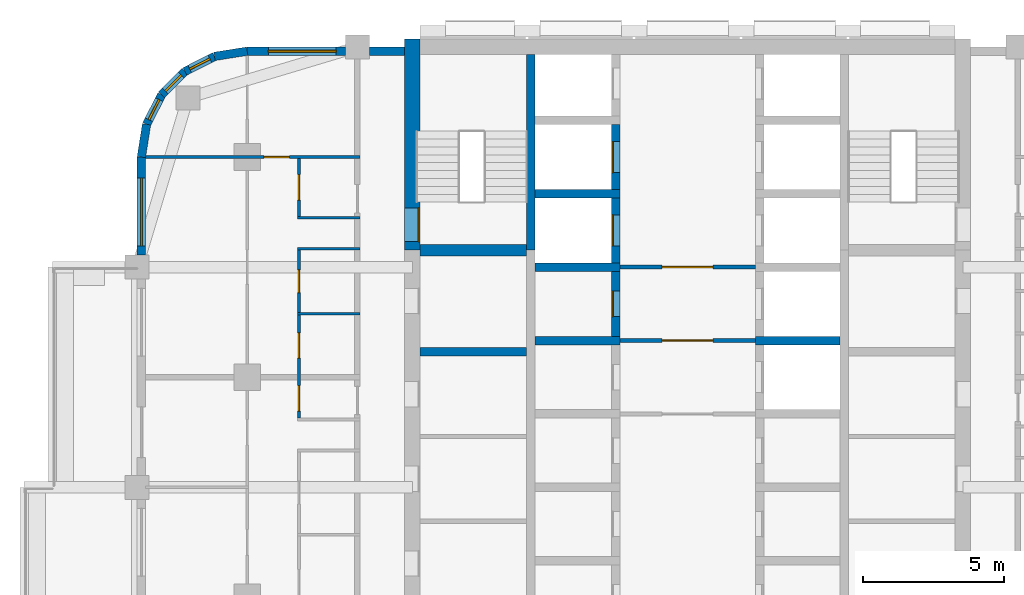
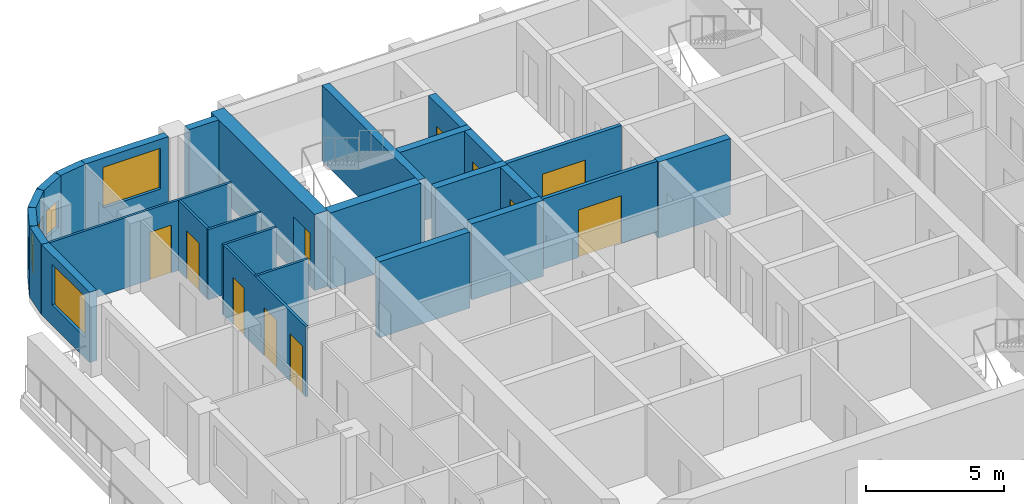
# One storey, part 8 of 14: 27 walls, 11 doors, 5 windows, 16 openings.
"""IFC4 building model written with IfcOpenShell, lengths in metres."""

from ifc_helpers import new_model, si_unit, direction, frame, frame_2d, origin, place, context, subcontext, project, spatial, rectangle, extrude, material, layer, layer_set, type_object, element, fill, save


model = new_model("IFC4")

# Units and contexts
model_context = context("Model", 3, precision=1e-05, world=origin(), true_north=direction((0.0, 1.0)))
body_context = subcontext(model_context, "Body", "Model", "MODEL_VIEW")
ifc_project = project(units=[si_unit("LENGTHUNIT", "METRE"), si_unit("AREAUNIT", "SQUARE_METRE"), si_unit("VOLUMEUNIT", "CUBIC_METRE"), si_unit("PLANEANGLEUNIT", "RADIAN"), si_unit("MASSUNIT", "GRAM", prefix="KILO")], contexts=[model_context])

# Site, building, storey
site_placement = place(None, origin())
site = spatial("IfcSite", under=ifc_project, at=site_placement, CompositionType="ELEMENT")
building_placement = place(site_placement, origin())
building = spatial("IfcBuilding", under=site, at=building_placement, Name="Ludao Terraces", CompositionType="ELEMENT")
storey_placement = place(building_placement, frame((0.0, 0.0, 140.699951171875)))
storey = spatial("IfcBuildingStorey", under=building, at=storey_placement, Name="L38", CompositionType="ELEMENT", Elevation=140.699951171875)

# Wall, opening, door
ifc_material_1 = material(Name="Concrete C60", Category="concrete")
ifc_layer_1 = layer(ifc_material_1, 0.550048828125)
ifc_layer_set_1 = layer_set([ifc_layer_1], Name="Core wall 550 C60")
wall_type_1 = type_object("IfcWallType", Name="Core wall 550 C60", PredefinedType="SOLIDWALL", material=ifc_layer_set_1)
wall_1_placement = place(storey_placement, frame((75.25, 77.300048828125, -0.25), z_axis=(0.0, 0.0, 1.0), x_axis=(0.0, 1.0, 0.0)))
wall_1 = element("IfcWall", 1, at=wall_1_placement, inside=storey, type_object=wall_type_1, Name="Core wall L38 outer-W-S1", PredefinedType="SOLIDWALL", context=body_context, shape_type="SweptSolid", body=[
    extrude(rectangle(XDim=7.474853515625, YDim=0.550048828125, at=frame_2d((3.7373046875, 0.0))), origin(), (0.0, 0.0, 1.0), 3.35009765625),
])
opening_1_placement = place(wall_1_placement, frame((0.300048828125, 0.0, 0.25)))
opening_1 = element("IfcOpeningElement", 2, at=opening_1_placement, cuts=wall_1, Name="Opening R13-081", PredefinedType="OPENING", context=body_context, shape_type="SweptSolid", body=[
    extrude(rectangle(XDim=1.199951171875, YDim=2.10009765625, at=frame_2d((0.60009765625, 1.050048828125))), frame((0.0, 0.28515625, 0.0), z_axis=(0.0, -1.0, 0.0), x_axis=(1.0, 0.0, 0.0)), (0.0, 0.0, 1.0), 0.570068359375),
])
ifc_material_2 = material(Name="Steel Q235", Category="steel")
door_type_1 = type_object("IfcDoorType", Name="INT Stair door 1200", OperationType="DOUBLE_DOOR_SINGLE_SWING", PredefinedType="DOOR", material=ifc_material_2)
door_1_placement = place(opening_1_placement, origin())
door_1 = element("IfcDoor", 3, at=door_1_placement, inside=storey, type_object=door_type_1, Name="DOOR 081", OperationType="DOUBLE_DOOR_SINGLE_SWING", OverallHeight=2.10009765625, OverallWidth=1.199951171875, PredefinedType="DOOR", context=body_context, shape_type="SweptSolid", body=[
    extrude(rectangle(XDim=1.199951171875, YDim=2.10009765625, at=frame_2d((0.60009765625, 1.050048828125))), frame((0.0, -0.2099609375, 0.0), z_axis=(0.0, -1.0, 0.0), x_axis=(1.0, 0.0, 0.0)), (0.0, 0.0, 1.0), 0.050048828125),
])
fill(opening_1, door_1)

# Wall, opening, window
ifc_material_3 = material(Name="Granite cladding", Category="masonry")
ifc_layer_2 = layer(ifc_material_3, 0.0400390625, Category="stone")
ifc_material_4 = material(Name="Mineral wool")
ifc_layer_3 = layer(ifc_material_4, 0.06005859375)
ifc_material_5 = material(Name="Concrete C40", Category="concrete")
ifc_layer_4 = layer(ifc_material_5, 0.199951171875, Category="concrete")
ifc_layer_set_2 = layer_set([ifc_layer_2, ifc_layer_3, ifc_layer_4], Name="ENV Stone-clad wall 300")
wall_type_2 = type_object("IfcWallType", Name="ENV Stone-clad wall 300", PredefinedType="SOLIDWALL", material=ifc_layer_set_2)
wall_2_placement = place(storey_placement, frame((69.39990234375, 84.35009765625, 0.0), z_axis=(0.0, 0.0, 1.0), x_axis=(1.0, 0.0, 0.0)))
wall_2 = element("IfcWall", 4, at=wall_2_placement, inside=storey, type_object=wall_type_2, Name="EW-L38-N1", PredefinedType="SOLIDWALL", context=body_context, shape_type="SweptSolid", body=[
    extrude(rectangle(XDim=3.47509765625, YDim=0.300048828125, at=frame_2d((1.737548828125, 0.0))), origin(), (0.0, 0.0, 1.0), 3.10009765625),
])
opening_2_placement = place(wall_2_placement, frame((0.75, 0.0, 0.89990234375)))
opening_2 = element("IfcOpeningElement", 5, at=opening_2_placement, cuts=wall_2, Name="Opening W1", PredefinedType="OPENING", context=body_context, shape_type="SweptSolid", body=[
    extrude(rectangle(XDim=2.39990234375, YDim=1.800048828125, at=frame_2d((1.199951171875, 0.89990234375))), frame((0.0, 0.16015625, 0.0), z_axis=(0.0, -1.0, 0.0), x_axis=(1.0, 0.0, 0.0)), (0.0, 0.0, 1.0), 0.320068359375),
])
ifc_material_6 = material(Name="Clear glass in aluminium frame", Category="aluminium")
ifc_layer_5 = layer(ifc_material_6, 0.06005859375)
ifc_layer_set_3 = layer_set([ifc_layer_5], Name="ENV Window W1 2400x1800")
window_type_1 = type_object("IfcWindowType", Name="ENV Window W1 2400x1800", PartitioningType="DOUBLE_PANEL_VERTICAL", PredefinedType="WINDOW", material=ifc_layer_set_3)
window_1_placement = place(opening_2_placement, origin())
window_1 = element("IfcWindow", 6, at=window_1_placement, inside=storey, type_object=window_type_1, Name="W-L38-N1-1", OverallHeight=1.800048828125, OverallWidth=2.39990234375, PartitioningType="DOUBLE_PANEL_VERTICAL", PredefinedType="WINDOW", context=body_context, shape_type="SweptSolid", body=[
    extrude(rectangle(XDim=2.39990234375, YDim=1.800048828125, at=frame_2d((1.199951171875, 0.89990234375))), frame((0.0, 0.030029296875, 0.0), z_axis=(0.0, -1.0, 0.0), x_axis=(1.0, 0.0, 0.0)), (0.0, 0.0, 1.0), 0.06005859375),
])
fill(opening_2, window_1)

# Wall
wall_3_placement = place(storey_placement, frame((73.72509765625, 84.35009765625, 0.0), z_axis=(0.0, 0.0, 1.0), x_axis=(1.0, 0.0, 0.0)))
element("IfcWall", 7, at=wall_3_placement, inside=storey, type_object=wall_type_2, Name="EW-L38-N2", PredefinedType="SOLIDWALL", context=body_context, shape_type="SweptSolid", body=[
    extrude(rectangle(XDim=1.25, YDim=0.300048828125, at=frame_2d((0.625, 0.0))), origin(), (0.0, 0.0, 1.0), 3.10009765625),
])

# Wall, opening, window
wall_4_placement = place(storey_placement, frame((65.64990234375, 77.125, 0.0), z_axis=(0.0, 0.0, 1.0), x_axis=(0.0, 1.0, 0.0)))
wall_4 = element("IfcWall", 8, at=wall_4_placement, inside=storey, type_object=wall_type_2, Name="EW-L38-W5", PredefinedType="SOLIDWALL", context=body_context, shape_type="SweptSolid", body=[
    extrude(rectangle(XDim=3.47509765625, YDim=0.300048828125, at=frame_2d((1.737548828125, 0.0))), origin(), (0.0, 0.0, 1.0), 3.10009765625),
])
opening_3_placement = place(wall_4_placement, frame((0.324951171875, 0.0, 0.89990234375)))
opening_3 = element("IfcOpeningElement", 9, at=opening_3_placement, cuts=wall_4, Name="Opening W1", PredefinedType="OPENING", context=body_context, shape_type="SweptSolid", body=[
    extrude(rectangle(XDim=2.39990234375, YDim=1.800048828125, at=frame_2d((1.199951171875, 0.89990234375))), frame((0.0, 0.16015625, 0.0), z_axis=(0.0, -1.0, 0.0), x_axis=(1.0, 0.0, 0.0)), (0.0, 0.0, 1.0), 0.320068359375),
])
window_2_placement = place(opening_3_placement, origin())
window_2 = element("IfcWindow", 10, at=window_2_placement, inside=storey, type_object=window_type_1, Name="W-L38-W5-1", OverallHeight=1.800048828125, OverallWidth=2.39990234375, PartitioningType="DOUBLE_PANEL_VERTICAL", PredefinedType="WINDOW", context=body_context, shape_type="SweptSolid", body=[
    extrude(rectangle(XDim=2.39990234375, YDim=1.800048828125, at=frame_2d((1.199951171875, 0.89990234375))), frame((0.0, 0.030029296875, 0.0), z_axis=(0.0, -1.0, 0.0), x_axis=(1.0, 0.0, 0.0)), (0.0, 0.0, 1.0), 0.06005859375),
])
fill(opening_3, window_2)

# Wall
wall_5_placement = place(storey_placement, frame((69.39990234375, 84.35009765625, 0.0), z_axis=(0.0, 0.0, 1.0), x_axis=(-0.987678452879, -0.156496880861, 0.0)))
element("IfcWall", 11, at=wall_5_placement, inside=storey, type_object=wall_type_2, Name="EW-L38-NW1", PredefinedType="SOLIDWALL", context=body_context, shape_type="SweptSolid", body=[
    extrude(rectangle(XDim=1.173095703125, YDim=0.300048828125, at=frame_2d((0.58642578125, 0.0))), origin(), (0.0, 0.0, 1.0), 3.10009765625),
])

# Wall, opening, window
wall_6_placement = place(storey_placement, frame((68.2412109375, 84.16650390625, 0.0), z_axis=(0.0, 0.0, 1.0), x_axis=(-0.890988677504, -0.454025524128, 0.0)))
wall_6 = element("IfcWall", 12, at=wall_6_placement, inside=storey, type_object=wall_type_2, Name="EW-L38-NW2", PredefinedType="SOLIDWALL", context=body_context, shape_type="SweptSolid", body=[
    extrude(rectangle(XDim=1.17333984375, YDim=0.300048828125, at=frame_2d((0.586669921875, 0.0))), origin(), (0.0, 0.0, 1.0), 3.10009765625),
])
opening_4_placement = place(wall_6_placement, frame((0.1865234375, 0.0, 0.89990234375)))
opening_4 = element("IfcOpeningElement", 13, at=opening_4_placement, cuts=wall_6, Name="Opening W3", PredefinedType="OPENING", context=body_context, shape_type="SweptSolid", body=[
    extrude(rectangle(XDim=0.800048828125, YDim=1.199951171875, at=frame_2d((0.39990234375, 0.60009765625))), frame((0.0, 0.16015625, 0.0), z_axis=(0.0, -1.0, 0.0), x_axis=(1.0, 0.0, 0.0)), (0.0, 0.0, 1.0), 0.320068359375),
])
ifc_layer_6 = layer(ifc_material_6, 0.06005859375)
ifc_layer_set_4 = layer_set([ifc_layer_6], Name="ENV Window W3 800x1200")
window_type_2 = type_object("IfcWindowType", Name="ENV Window W3 800x1200", PartitioningType="SINGLE_PANEL", PredefinedType="WINDOW", material=ifc_layer_set_4)
window_3_placement = place(opening_4_placement, origin())
window_3 = element("IfcWindow", 14, at=window_3_placement, inside=storey, type_object=window_type_2, Name="W-L38-NW2", OverallHeight=1.199951171875, OverallWidth=0.800048828125, PartitioningType="SINGLE_PANEL", PredefinedType="WINDOW", context=body_context, shape_type="SweptSolid", body=[
    extrude(rectangle(XDim=0.800048828125, YDim=1.199951171875, at=frame_2d((0.39990234375, 0.60009765625))), frame((0.0, 0.030029296875, 0.0), z_axis=(0.0, -1.0, 0.0), x_axis=(1.0, 0.0, 0.0)), (0.0, 0.0, 1.0), 0.06005859375),
])
fill(opening_4, window_3)

wall_7_placement = place(storey_placement, frame((67.19580078125, 83.6337890625, 0.0), z_axis=(0.0, 0.0, 1.0), x_axis=(-0.707106781187, -0.707106781187, 0.0)))
wall_7 = element("IfcWall", 15, at=wall_7_placement, inside=storey, type_object=wall_type_2, Name="EW-L38-NW3", PredefinedType="SOLIDWALL", context=body_context, shape_type="SweptSolid", body=[
    extrude(rectangle(XDim=1.173095703125, YDim=0.300048828125, at=frame_2d((0.58642578125, 0.0))), origin(), (0.0, 0.0, 1.0), 3.10009765625),
])
opening_5_placement = place(wall_7_placement, frame((0.1865234375, 0.0, 0.89990234375)))
opening_5 = element("IfcOpeningElement", 16, at=opening_5_placement, cuts=wall_7, Name="Opening W3", PredefinedType="OPENING", context=body_context, shape_type="SweptSolid", body=[
    extrude(rectangle(XDim=0.800048828125, YDim=1.199951171875, at=frame_2d((0.39990234375, 0.60009765625))), frame((0.0, 0.16015625, 0.0), z_axis=(0.0, -1.0, 0.0), x_axis=(1.0, 0.0, 0.0)), (0.0, 0.0, 1.0), 0.320068359375),
])
window_4_placement = place(opening_5_placement, origin())
window_4 = element("IfcWindow", 17, at=window_4_placement, inside=storey, type_object=window_type_2, Name="W-L38-NW3", OverallHeight=1.199951171875, OverallWidth=0.800048828125, PartitioningType="SINGLE_PANEL", PredefinedType="WINDOW", context=body_context, shape_type="SweptSolid", body=[
    extrude(rectangle(XDim=0.800048828125, YDim=1.199951171875, at=frame_2d((0.39990234375, 0.60009765625))), frame((0.0, 0.030029296875, 0.0), z_axis=(0.0, -1.0, 0.0), x_axis=(1.0, 0.0, 0.0)), (0.0, 0.0, 1.0), 0.06005859375),
])
fill(opening_5, window_4)

wall_8_placement = place(storey_placement, frame((66.3662109375, 82.80419921875, 0.0), z_axis=(0.0, 0.0, 1.0), x_axis=(-0.454025524128, -0.890988677504, 0.0)))
wall_8 = element("IfcWall", 18, at=wall_8_placement, inside=storey, type_object=wall_type_2, Name="EW-L38-NW4", PredefinedType="SOLIDWALL", context=body_context, shape_type="SweptSolid", body=[
    extrude(rectangle(XDim=1.17333984375, YDim=0.300048828125, at=frame_2d((0.586669921875, 0.0))), origin(), (0.0, 0.0, 1.0), 3.10009765625),
])
opening_6_placement = place(wall_8_placement, frame((0.1865234375, 0.0, 0.89990234375)))
opening_6 = element("IfcOpeningElement", 19, at=opening_6_placement, cuts=wall_8, Name="Opening W3", PredefinedType="OPENING", context=body_context, shape_type="SweptSolid", body=[
    extrude(rectangle(XDim=0.800048828125, YDim=1.199951171875, at=frame_2d((0.39990234375, 0.60009765625))), frame((0.0, 0.16015625, 0.0), z_axis=(0.0, -1.0, 0.0), x_axis=(1.0, 0.0, 0.0)), (0.0, 0.0, 1.0), 0.320068359375),
])
window_5_placement = place(opening_6_placement, origin())
window_5 = element("IfcWindow", 20, at=window_5_placement, inside=storey, type_object=window_type_2, Name="W-L38-NW4", OverallHeight=1.199951171875, OverallWidth=0.800048828125, PartitioningType="SINGLE_PANEL", PredefinedType="WINDOW", context=body_context, shape_type="SweptSolid", body=[
    extrude(rectangle(XDim=0.800048828125, YDim=1.199951171875, at=frame_2d((0.39990234375, 0.60009765625))), frame((0.0, 0.030029296875, 0.0), z_axis=(0.0, -1.0, 0.0), x_axis=(1.0, 0.0, 0.0)), (0.0, 0.0, 1.0), 0.06005859375),
])
fill(opening_6, window_5)

# Wall
wall_9_placement = place(storey_placement, frame((65.83349609375, 81.7587890625, 0.0), z_axis=(0.0, 0.0, 1.0), x_axis=(-0.156496880861, -0.987678452879, 0.0)))
element("IfcWall", 21, at=wall_9_placement, inside=storey, type_object=wall_type_2, Name="EW-L38-NW5", PredefinedType="SOLIDWALL", context=body_context, shape_type="SweptSolid", body=[
    extrude(rectangle(XDim=1.173095703125, YDim=0.300048828125, at=frame_2d((0.58642578125, 0.0))), origin(), (0.0, 0.0, 1.0), 3.10009765625),
])

# Wall, opening, door
ifc_material_7 = material(Name="Fire-rated gypsum plasterboard", Category="gypsum")
ifc_layer_7 = layer(ifc_material_7, 0.012451171875, Category="gypsum")
ifc_layer_8 = layer(ifc_material_4, 0.10009765625, Name="insulation")
ifc_layer_9 = layer(ifc_material_2, 0.02490234375, Name="stud")
ifc_layer_10 = layer(ifc_material_7, 0.012451171875, Category="gypsum")
ifc_layer_set_5 = layer_set([ifc_layer_7, ifc_layer_8, ifc_layer_9, ifc_layer_10], Name="INT Core partition 150")
wall_type_3 = type_object("IfcWallType", Name="INT Core partition 150", PredefinedType="PARTITIONING", material=ifc_layer_set_5)
wall_10_placement = place(storey_placement, frame((82.60009765625, 74.10009765625, 0.0), z_axis=(0.0, 0.0, 1.0), x_axis=(1.0, 0.0, 0.0)))
wall_10 = element("IfcWall", 22, at=wall_10_placement, inside=storey, type_object=wall_type_3, Name="PW-L38-PW039", PredefinedType="PARTITIONING", context=body_context, shape_type="SweptSolid", body=[
    extrude(rectangle(XDim=4.800048828125, YDim=0.14990234375, at=frame_2d((2.39990234375, 0.0))), origin(), (0.0, 0.0, 1.0), 3.10009765625),
])
opening_7_placement = place(wall_10_placement, frame((1.5, 0.0, 0.0)))
opening_7 = element("IfcOpeningElement", 23, at=opening_7_placement, cuts=wall_10, Name="Opening R13-068", PredefinedType="OPENING", context=body_context, shape_type="SweptSolid", body=[
    extrude(rectangle(XDim=1.800048828125, YDim=2.10009765625, at=frame_2d((0.89990234375, 1.050048828125))), frame((0.0, 0.0849609375, 0.0), z_axis=(0.0, -1.0, 0.0), x_axis=(1.0, 0.0, 0.0)), (0.0, 0.0, 1.0), 0.169921875),
])
door_type_2 = type_object("IfcDoorType", Name="INT Fire lobby door 1800", OperationType="DOUBLE_DOOR_SINGLE_SWING", PredefinedType="DOOR", material=ifc_material_2)
door_2_placement = place(opening_7_placement, origin())
door_2 = element("IfcDoor", 24, at=door_2_placement, inside=storey, type_object=door_type_2, Name="DOOR 068", OperationType="DOUBLE_DOOR_SINGLE_SWING", OverallHeight=2.10009765625, OverallWidth=1.800048828125, PredefinedType="DOOR", context=body_context, shape_type="SweptSolid", body=[
    extrude(rectangle(XDim=1.800048828125, YDim=2.10009765625, at=frame_2d((0.89990234375, 1.050048828125))), frame((0.0, 0.02490234375, 0.0), z_axis=(0.0, -1.0, 0.0), x_axis=(1.0, 0.0, 0.0)), (0.0, 0.0, 1.0), 0.050048828125),
])
fill(opening_7, door_2)

wall_11_placement = place(storey_placement, frame((82.60009765625, 76.699951171875, 0.0), z_axis=(0.0, 0.0, 1.0), x_axis=(1.0, 0.0, 0.0)))
wall_11 = element("IfcWall", 25, at=wall_11_placement, inside=storey, type_object=wall_type_3, Name="PW-L38-PW043", PredefinedType="PARTITIONING", context=body_context, shape_type="SweptSolid", body=[
    extrude(rectangle(XDim=4.800048828125, YDim=0.14990234375, at=frame_2d((2.39990234375, 0.0))), origin(), (0.0, 0.0, 1.0), 3.10009765625),
])
opening_8_placement = place(wall_11_placement, frame((1.5, 0.0, 0.0)))
opening_8 = element("IfcOpeningElement", 26, at=opening_8_placement, cuts=wall_11, Name="Opening R13-078", PredefinedType="OPENING", context=body_context, shape_type="SweptSolid", body=[
    extrude(rectangle(XDim=1.800048828125, YDim=2.10009765625, at=frame_2d((0.89990234375, 1.050048828125))), frame((0.0, 0.0849609375, 0.0), z_axis=(0.0, -1.0, 0.0), x_axis=(1.0, 0.0, 0.0)), (0.0, 0.0, 1.0), 0.169921875),
])
door_3_placement = place(opening_8_placement, origin())
door_3 = element("IfcDoor", 27, at=door_3_placement, inside=storey, type_object=door_type_2, Name="DOOR 078", OperationType="DOUBLE_DOOR_SINGLE_SWING", OverallHeight=2.10009765625, OverallWidth=1.800048828125, PredefinedType="DOOR", context=body_context, shape_type="SweptSolid", body=[
    extrude(rectangle(XDim=1.800048828125, YDim=2.10009765625, at=frame_2d((0.89990234375, 1.050048828125))), frame((0.0, 0.02490234375, 0.0), z_axis=(0.0, -1.0, 0.0), x_axis=(1.0, 0.0, 0.0)), (0.0, 0.0, 1.0), 0.050048828125),
])
fill(opening_8, door_3)

# Walls
ifc_material_8 = material(Name="Gypsum plasterboard", Category="gypsum")
ifc_layer_11 = layer(ifc_material_8, 0.012451171875, Category="gypsum")
ifc_layer_12 = layer(ifc_material_4, 0.06005859375, Name="insulation")
ifc_layer_13 = layer(ifc_material_2, 0.014892578125, Name="stud")
ifc_layer_14 = layer(ifc_material_8, 0.012451171875, Category="gypsum")
ifc_layer_set_6 = layer_set([ifc_layer_11, ifc_layer_12, ifc_layer_13, ifc_layer_14], Name="INT Partition 100")
wall_type_4 = type_object("IfcWallType", Name="INT Partition 100", PredefinedType="PARTITIONING", material=ifc_layer_set_6)
for number, where, z_axis, x_axis, name in (
    (28, (71.18017578125, 75.050048828125, 0.0), (0.0, 0.0, 1.0), (1.0, 0.0, 0.0), "PW-L38-PW041"),
    (29, (71.18017578125, 77.35009765625, 0.0), (0.0, 0.0, 1.0), (1.0, 0.0, 0.0), "PW-L38-PW045"),
    (30, (71.18017578125, 78.449951171875, 0.0), (0.0, 0.0, 1.0), (1.0, 0.0, 0.0), "PW-L38-PW047"),
):
    element("IfcWall", number, at=place(storey_placement, frame(where, z_axis=z_axis, x_axis=x_axis)), inside=storey, type_object=wall_type_4, Name=name, PredefinedType="PARTITIONING", context=body_context, shape_type="SweptSolid", body=[
        extrude(rectangle(XDim=2.219970703125, YDim=0.10009765625, at=frame_2d((1.10986328125, 0.0))), origin(), (0.0, 0.0, 1.0), 3.10009765625),
    ])

# Wall, opening, door
wall_12_placement = place(storey_placement, frame((65.800048828125, 80.60009765625, 0.0), z_axis=(0.0, 0.0, 1.0), x_axis=(1.0, 0.0, 0.0)))
wall_12 = element("IfcWall", 31, at=wall_12_placement, inside=storey, type_object=wall_type_4, Name="PW-L38-PW049", PredefinedType="PARTITIONING", context=body_context, shape_type="SweptSolid", body=[
    extrude(rectangle(XDim=7.60009765625, YDim=0.10009765625, at=frame_2d((3.800048828125, 0.0))), origin(), (0.0, 0.0, 1.0), 3.10009765625),
])
opening_9_placement = place(wall_12_placement, frame((4.18994140625, 0.0, 0.0)))
opening_9 = element("IfcOpeningElement", 32, at=opening_9_placement, cuts=wall_12, Name="Opening R13-088", PredefinedType="OPENING", context=body_context, shape_type="SweptSolid", body=[
    extrude(rectangle(XDim=0.89990234375, YDim=2.10009765625, at=frame_2d((0.449951171875, 1.050048828125))), frame((0.0, 0.06005859375, 0.0), z_axis=(0.0, -1.0, 0.0), x_axis=(1.0, 0.0, 0.0)), (0.0, 0.0, 1.0), 0.1201171875),
])
ifc_material_9 = material(Name="Timber door leaf", Category="wood")
door_type_3 = type_object("IfcDoorType", Name="INT Room door 900", OperationType="SINGLE_SWING_LEFT", PredefinedType="DOOR", material=ifc_material_9)
door_4_placement = place(opening_9_placement, origin())
door_4 = element("IfcDoor", 33, at=door_4_placement, inside=storey, type_object=door_type_3, Name="DOOR 088", OperationType="SINGLE_SWING_LEFT", OverallHeight=2.10009765625, OverallWidth=0.89990234375, PredefinedType="DOOR", context=body_context, shape_type="SweptSolid", body=[
    extrude(rectangle(XDim=0.89990234375, YDim=2.10009765625, at=frame_2d((0.449951171875, 1.050048828125))), frame((0.0, 0.02490234375, 0.0), z_axis=(0.0, -1.0, 0.0), x_axis=(1.0, 0.0, 0.0)), (0.0, 0.0, 1.0), 0.050048828125),
])
fill(opening_9, door_4)

# Wall, openings, doors
wall_13_placement = place(storey_placement, frame((71.22998046875, 71.35009765625, 0.0), z_axis=(0.0, 0.0, 1.0), x_axis=(0.0, 1.0, 0.0)))
wall_13 = element("IfcWall", 34, at=wall_13_placement, inside=storey, type_object=wall_type_4, Name="PW-L38-PW054", PredefinedType="PARTITIONING", context=body_context, shape_type="SweptSolid", body=[
    extrude(rectangle(XDim=5.949951171875, YDim=0.10009765625, at=frame_2d((2.97509765625, 0.0))), origin(), (0.0, 0.0, 1.0), 3.10009765625),
])
opening_10_placement = place(wall_13_placement, frame((0.25, 0.0, 0.0)))
opening_10 = element("IfcOpeningElement", 35, at=opening_10_placement, cuts=wall_13, Name="Opening R13-061", PredefinedType="OPENING", context=body_context, shape_type="SweptSolid", body=[
    extrude(rectangle(XDim=0.89990234375, YDim=2.10009765625, at=frame_2d((0.449951171875, 1.050048828125))), frame((0.0, 0.06005859375, 0.0), z_axis=(0.0, -1.0, 0.0), x_axis=(1.0, 0.0, 0.0)), (0.0, 0.0, 1.0), 0.1201171875),
])
opening_11_placement = place(wall_13_placement, frame((2.125, 0.0, 0.0)))
opening_11 = element("IfcOpeningElement", 36, at=opening_11_placement, cuts=wall_13, Name="Opening R13-067", PredefinedType="OPENING", context=body_context, shape_type="SweptSolid", body=[
    extrude(rectangle(XDim=0.89990234375, YDim=2.10009765625, at=frame_2d((0.449951171875, 1.050048828125))), frame((0.0, 0.06005859375, 0.0), z_axis=(0.0, -1.0, 0.0), x_axis=(1.0, 0.0, 0.0)), (0.0, 0.0, 1.0), 0.1201171875),
])
opening_12_placement = place(wall_13_placement, frame((4.449951171875, 0.0, 0.0)))
opening_12 = element("IfcOpeningElement", 37, at=opening_12_placement, cuts=wall_13, Name="Opening R13-075", PredefinedType="OPENING", context=body_context, shape_type="SweptSolid", body=[
    extrude(rectangle(XDim=0.800048828125, YDim=2.10009765625, at=frame_2d((0.39990234375, 1.050048828125))), frame((0.0, 0.06005859375, 0.0), z_axis=(0.0, -1.0, 0.0), x_axis=(1.0, 0.0, 0.0)), (0.0, 0.0, 1.0), 0.1201171875),
])
door_type_4 = type_object("IfcDoorType", Name="INT Bathroom door 900", OperationType="SINGLE_SWING_LEFT", PredefinedType="DOOR", material=ifc_material_9)
door_5_placement = place(opening_10_placement, origin())
door_5 = element("IfcDoor", 38, at=door_5_placement, inside=storey, type_object=door_type_4, Name="DOOR 061", OperationType="SINGLE_SWING_LEFT", OverallHeight=2.10009765625, OverallWidth=0.89990234375, PredefinedType="DOOR", context=body_context, shape_type="SweptSolid", body=[
    extrude(rectangle(XDim=0.89990234375, YDim=2.10009765625, at=frame_2d((0.449951171875, 1.050048828125))), frame((0.0, 0.02490234375, 0.0), z_axis=(0.0, -1.0, 0.0), x_axis=(1.0, 0.0, 0.0)), (0.0, 0.0, 1.0), 0.050048828125),
])
fill(opening_10, door_5)
door_6_placement = place(opening_11_placement, origin())
door_6 = element("IfcDoor", 39, at=door_6_placement, inside=storey, type_object=door_type_4, Name="DOOR 067", OperationType="SINGLE_SWING_RIGHT", OverallHeight=2.10009765625, OverallWidth=0.89990234375, PredefinedType="DOOR", context=body_context, shape_type="SweptSolid", body=[
    extrude(rectangle(XDim=0.89990234375, YDim=2.10009765625, at=frame_2d((0.449951171875, 1.050048828125))), frame((0.0, 0.02490234375, 0.0), z_axis=(0.0, -1.0, 0.0), x_axis=(1.0, 0.0, 0.0)), (0.0, 0.0, 1.0), 0.050048828125),
])
fill(opening_11, door_6)
door_type_5 = type_object("IfcDoorType", Name="INT Store door 800", OperationType="SINGLE_SWING_LEFT", PredefinedType="DOOR", material=ifc_material_9)
door_7_placement = place(opening_12_placement, origin())
door_7 = element("IfcDoor", 40, at=door_7_placement, inside=storey, type_object=door_type_5, Name="DOOR 075", OperationType="SINGLE_SWING_LEFT", OverallHeight=2.10009765625, OverallWidth=0.800048828125, PredefinedType="DOOR", context=body_context, shape_type="SweptSolid", body=[
    extrude(rectangle(XDim=0.800048828125, YDim=2.10009765625, at=frame_2d((0.39990234375, 1.050048828125))), frame((0.0, 0.02490234375, 0.0), z_axis=(0.0, -1.0, 0.0), x_axis=(1.0, 0.0, 0.0)), (0.0, 0.0, 1.0), 0.050048828125),
])
fill(opening_12, door_7)

# Wall, opening, door
wall_14_placement = place(storey_placement, frame((71.22998046875, 78.5, 0.0), z_axis=(0.0, 0.0, 1.0), x_axis=(0.0, 1.0, 0.0)))
wall_14 = element("IfcWall", 41, at=wall_14_placement, inside=storey, type_object=wall_type_4, Name="PW-L38-PW055", PredefinedType="PARTITIONING", context=body_context, shape_type="SweptSolid", body=[
    extrude(rectangle(XDim=2.050048828125, YDim=0.10009765625, at=frame_2d((1.02490234375, 0.0))), origin(), (0.0, 0.0, 1.0), 3.10009765625),
])
opening_13_placement = place(wall_14_placement, frame((0.5751953125, 0.0, 0.0)))
opening_13 = element("IfcOpeningElement", 42, at=opening_13_placement, cuts=wall_14, Name="Opening R13-086", PredefinedType="OPENING", context=body_context, shape_type="SweptSolid", body=[
    extrude(rectangle(XDim=0.89990234375, YDim=2.10009765625, at=frame_2d((0.449951171875, 1.050048828125))), frame((0.0, 0.06005859375, 0.0), z_axis=(0.0, -1.0, 0.0), x_axis=(1.0, 0.0, 0.0)), (0.0, 0.0, 1.0), 0.1201171875),
])
door_8_placement = place(opening_13_placement, origin())
door_8 = element("IfcDoor", 43, at=door_8_placement, inside=storey, type_object=door_type_3, Name="DOOR 086", OperationType="SINGLE_SWING_LEFT", OverallHeight=2.10009765625, OverallWidth=0.89990234375, PredefinedType="DOOR", context=body_context, shape_type="SweptSolid", body=[
    extrude(rectangle(XDim=0.89990234375, YDim=2.10009765625, at=frame_2d((0.449951171875, 1.050048828125))), frame((0.0, 0.02490234375, 0.0), z_axis=(0.0, -1.0, 0.0), x_axis=(1.0, 0.0, 0.0)), (0.0, 0.0, 1.0), 0.050048828125),
])
fill(opening_13, door_8)

# Walls
ifc_material_10 = material(Name="Concrete C55", Category="concrete")
ifc_layer_15 = layer(ifc_material_10, 0.300048828125)
ifc_layer_set_7 = layer_set([ifc_layer_15], Name="Shaft wall 300 C55")
wall_type_5 = type_object("IfcWallType", Name="Shaft wall 300 C55", PredefinedType="SOLIDWALL", material=ifc_layer_set_7)
wall_15_placement = place(storey_placement, frame((79.449951171875, 77.300048828125, -0.25), z_axis=(0.0, 0.0, 1.0), x_axis=(0.0, 1.0, 0.0)))
element("IfcWall", 44, at=wall_15_placement, inside=storey, type_object=wall_type_5, Name="Core wall L38 back-W-S1", PredefinedType="SOLIDWALL", context=body_context, shape_type="SweptSolid", body=[
    extrude(rectangle(XDim=6.925048828125, YDim=0.300048828125, at=frame_2d((3.46240234375, 0.0))), origin(), (0.0, 0.0, 1.0), 3.35009765625),
])
wall_16_placement = place(storey_placement, frame((79.60009765625, 74.10009765625, -0.25), z_axis=(0.0, 0.0, 1.0), x_axis=(1.0, 0.0, 0.0)))
element("IfcWall", 45, at=wall_16_placement, inside=storey, type_object=wall_type_5, Name="Core wall L38 div-W6", PredefinedType="SOLIDWALL", context=body_context, shape_type="SweptSolid", body=[
    extrude(rectangle(XDim=3.0, YDim=0.300048828125, at=frame_2d((1.5, 0.0))), origin(), (0.0, 0.0, 1.0), 3.35009765625),
])

# Wall, opening, door
wall_17_placement = place(storey_placement, frame((82.449951171875, 74.25, -0.25), z_axis=(0.0, 0.0, 1.0), x_axis=(0.0, 1.0, 0.0)))
wall_17 = element("IfcWall", 46, at=wall_17_placement, inside=storey, type_object=wall_type_5, Name="Core wall L38 front-W6", PredefinedType="SOLIDWALL", context=body_context, shape_type="SweptSolid", body=[
    extrude(rectangle(XDim=2.300048828125, YDim=0.300048828125, at=frame_2d((1.14990234375, 0.0))), origin(), (0.0, 0.0, 1.0), 3.35009765625),
])
opening_14_placement = place(wall_17_placement, frame((0.699951171875, 0.0, 0.25)))
opening_14 = element("IfcOpeningElement", 47, at=opening_14_placement, cuts=wall_17, Name="Opening R13-071", PredefinedType="OPENING", context=body_context, shape_type="SweptSolid", body=[
    extrude(rectangle(XDim=0.89990234375, YDim=2.10009765625, at=frame_2d((0.449951171875, 1.050048828125))), frame((0.0, 0.16015625, 0.0), z_axis=(0.0, -1.0, 0.0), x_axis=(1.0, 0.0, 0.0)), (0.0, 0.0, 1.0), 0.320068359375),
])
door_9_placement = place(opening_14_placement, origin())
door_9 = element("IfcDoor", 48, at=door_9_placement, inside=storey, type_object=door_type_3, Name="DOOR 071", OperationType="SINGLE_SWING_RIGHT", OverallHeight=2.10009765625, OverallWidth=0.89990234375, PredefinedType="DOOR", context=body_context, shape_type="SweptSolid", body=[
    extrude(rectangle(XDim=0.89990234375, YDim=2.10009765625, at=frame_2d((0.449951171875, 1.050048828125))), frame((0.0, 0.13525390625, 0.0), z_axis=(0.0, -1.0, 0.0), x_axis=(1.0, 0.0, 0.0)), (0.0, 0.0, 1.0), 0.050048828125),
])
fill(opening_14, door_9)

# Wall
wall_18_placement = place(storey_placement, frame((79.60009765625, 76.699951171875, -0.25), z_axis=(0.0, 0.0, 1.0), x_axis=(1.0, 0.0, 0.0)))
element("IfcWall", 49, at=wall_18_placement, inside=storey, type_object=wall_type_5, Name="Core wall L38 div-W7", PredefinedType="SOLIDWALL", context=body_context, shape_type="SweptSolid", body=[
    extrude(rectangle(XDim=3.0, YDim=0.300048828125, at=frame_2d((1.5, 0.0))), origin(), (0.0, 0.0, 1.0), 3.35009765625),
])

# Wall, opening, door
wall_19_placement = place(storey_placement, frame((82.449951171875, 76.85009765625, -0.25), z_axis=(0.0, 0.0, 1.0), x_axis=(0.0, 1.0, 0.0)))
wall_19 = element("IfcWall", 50, at=wall_19_placement, inside=storey, type_object=wall_type_5, Name="Core wall L38 front-W7", PredefinedType="SOLIDWALL", context=body_context, shape_type="SweptSolid", body=[
    extrude(rectangle(XDim=2.2998046875, YDim=0.300048828125, at=frame_2d((1.14990234375, 0.0))), origin(), (0.0, 0.0, 1.0), 3.35009765625),
])
opening_15_placement = place(wall_19_placement, frame((0.60009765625, 0.0, 0.25)))
opening_15 = element("IfcOpeningElement", 51, at=opening_15_placement, cuts=wall_19, Name="Opening LD-FF1", PredefinedType="OPENING", context=body_context, shape_type="SweptSolid", body=[
    extrude(rectangle(XDim=1.10009765625, YDim=2.10009765625, at=frame_2d((0.550048828125, 1.050048828125))), frame((0.0, 0.16015625, 0.0), z_axis=(0.0, -1.0, 0.0), x_axis=(1.0, 0.0, 0.0)), (0.0, 0.0, 1.0), 0.320068359375),
])
ifc_material_11 = material(Name="Stainless steel 304", Category="steel")
door_type_6 = type_object("IfcDoorType", Name="INT Lift landing door 1100", OperationType="SLIDING_TO_LEFT", PredefinedType="DOOR", material=ifc_material_11)
door_10_placement = place(opening_15_placement, origin())
door_10 = element("IfcDoor", 52, at=door_10_placement, inside=storey, type_object=door_type_6, Name="LANDING DOOR FF1 L38", OperationType="SLIDING_TO_LEFT", OverallHeight=2.10009765625, OverallWidth=1.10009765625, PredefinedType="DOOR", context=body_context, shape_type="SweptSolid", body=[
    extrude(rectangle(XDim=1.10009765625, YDim=2.10009765625, at=frame_2d((0.550048828125, 1.050048828125))), frame((0.0, 0.13525390625, 0.0), z_axis=(0.0, -1.0, 0.0), x_axis=(1.0, 0.0, 0.0)), (0.0, 0.0, 1.0), 0.050048828125),
])
fill(opening_15, door_10)

# Wall
wall_20_placement = place(storey_placement, frame((79.60009765625, 79.300048828125, -0.25), z_axis=(0.0, 0.0, 1.0), x_axis=(1.0, 0.0, 0.0)))
element("IfcWall", 53, at=wall_20_placement, inside=storey, type_object=wall_type_5, Name="Core wall L38 div-W8", PredefinedType="SOLIDWALL", context=body_context, shape_type="SweptSolid", body=[
    extrude(rectangle(XDim=3.0, YDim=0.300048828125, at=frame_2d((1.5, 0.0))), origin(), (0.0, 0.0, 1.0), 3.35009765625),
])

# Wall, opening, door
wall_21_placement = place(storey_placement, frame((82.449951171875, 79.449951171875, -0.25), z_axis=(0.0, 0.0, 1.0), x_axis=(0.0, 1.0, 0.0)))
wall_21 = element("IfcWall", 54, at=wall_21_placement, inside=storey, type_object=wall_type_5, Name="Core wall L38 front-W8", PredefinedType="SOLIDWALL", context=body_context, shape_type="SweptSolid", body=[
    extrude(rectangle(XDim=2.300048828125, YDim=0.300048828125, at=frame_2d((1.14990234375, 0.0))), origin(), (0.0, 0.0, 1.0), 3.35009765625),
])
opening_16_placement = place(wall_21_placement, frame((0.60009765625, 0.0, 0.25)))
opening_16 = element("IfcOpeningElement", 55, at=opening_16_placement, cuts=wall_21, Name="Opening LD-FF2", PredefinedType="OPENING", context=body_context, shape_type="SweptSolid", body=[
    extrude(rectangle(XDim=1.10009765625, YDim=2.10009765625, at=frame_2d((0.550048828125, 1.050048828125))), frame((0.0, 0.16015625, 0.0), z_axis=(0.0, -1.0, 0.0), x_axis=(1.0, 0.0, 0.0)), (0.0, 0.0, 1.0), 0.320068359375),
])
door_11_placement = place(opening_16_placement, origin())
door_11 = element("IfcDoor", 56, at=door_11_placement, inside=storey, type_object=door_type_6, Name="LANDING DOOR FF2 L38", OperationType="SLIDING_TO_LEFT", OverallHeight=2.10009765625, OverallWidth=1.10009765625, PredefinedType="DOOR", context=body_context, shape_type="SweptSolid", body=[
    extrude(rectangle(XDim=1.10009765625, YDim=2.10009765625, at=frame_2d((0.550048828125, 1.050048828125))), frame((0.0, 0.13525390625, 0.0), z_axis=(0.0, -1.0, 0.0), x_axis=(1.0, 0.0, 0.0)), (0.0, 0.0, 1.0), 0.050048828125),
])
fill(opening_16, door_11)

# Walls
wall_22_placement = place(storey_placement, frame((87.39990234375, 74.10009765625, -0.25), z_axis=(0.0, 0.0, 1.0), x_axis=(1.0, 0.0, 0.0)))
element("IfcWall", 57, at=wall_22_placement, inside=storey, type_object=wall_type_5, Name="Core wall L38 div-E6", PredefinedType="SOLIDWALL", context=body_context, shape_type="SweptSolid", body=[
    extrude(rectangle(XDim=3.0, YDim=0.300048828125, at=frame_2d((1.5, 0.0))), origin(), (0.0, 0.0, 1.0), 3.35009765625),
])
wall_23_placement = place(storey_placement, frame((75.52490234375, 73.699951171875, -0.25), z_axis=(0.0, 0.0, 1.0), x_axis=(1.0, 0.0, 0.0)))
element("IfcWall", 58, at=wall_23_placement, inside=storey, type_object=wall_type_5, Name="Core wall L38 riser-b-W", PredefinedType="SOLIDWALL", context=body_context, shape_type="SweptSolid", body=[
    extrude(rectangle(XDim=3.775146484375, YDim=0.300048828125, at=frame_2d((1.8876953125, 0.0))), origin(), (0.0, 0.0, 1.0), 3.35009765625),
])
ifc_layer_16 = layer(ifc_material_10, 0.39990234375)
ifc_layer_set_8 = layer_set([ifc_layer_16], Name="Shaft wall 400 C55")
wall_type_6 = type_object("IfcWallType", Name="Shaft wall 400 C55", PredefinedType="SOLIDWALL", material=ifc_layer_set_8)
wall_24_placement = place(storey_placement, frame((75.52490234375, 77.300048828125, -0.25), z_axis=(0.0, 0.0, 1.0), x_axis=(1.0, 0.0, 0.0)))
element("IfcWall", 59, at=wall_24_placement, inside=storey, type_object=wall_type_6, Name="Core wall L38 stair-W", PredefinedType="SOLIDWALL", context=body_context, shape_type="SweptSolid", body=[
    extrude(rectangle(XDim=3.775146484375, YDim=0.39990234375, at=frame_2d((1.8876953125, 0.0))), origin(), (0.0, 0.0, 1.0), 3.35009765625),
])

save(model, "model.ifc")
